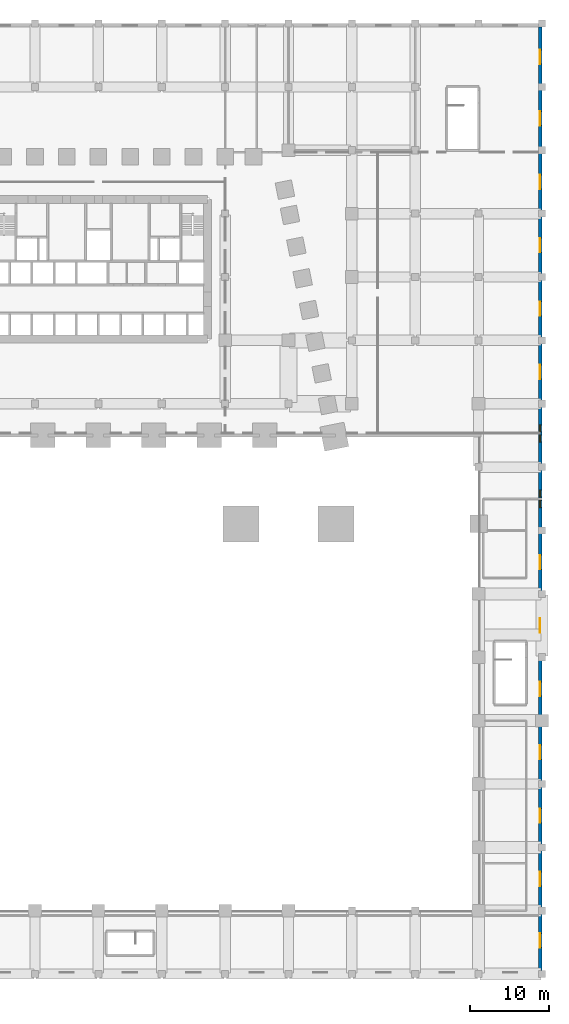
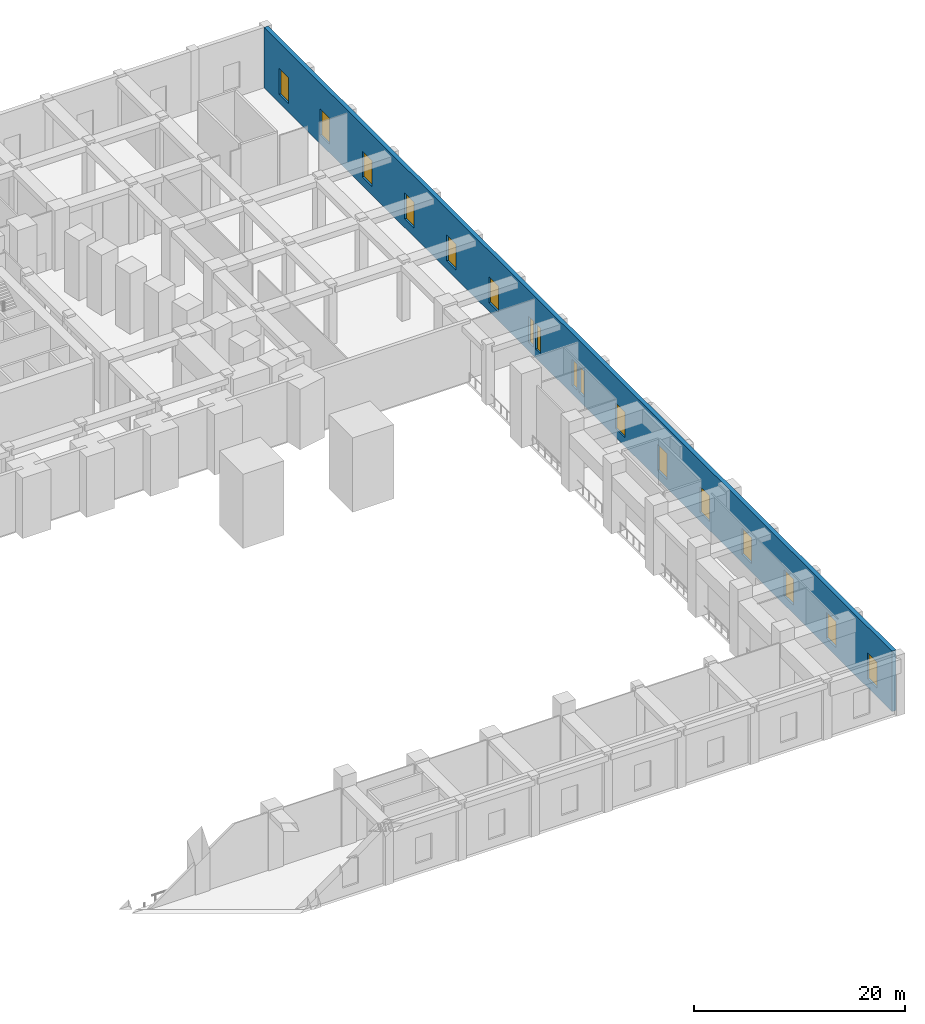
# One storey, part 8 of 18: 17 windows, 1 wall, 17 openings.
"""IFC4 building model written with IfcOpenShell, lengths in metres."""

from ifc_helpers import new_model, si_unit, direction, frame, frame_2d, origin, place, context, subcontext, project, spatial, rectangle, extrude, material, layer, layer_set, type_object, element, fill, save


model = new_model("IFC4")

# Units and contexts
model_context = context("Model", 3, precision=1e-05, world=origin(), true_north=direction((0.0, 1.0)))
body_context = subcontext(model_context, "Body", "Model", "MODEL_VIEW")
ifc_project = project(units=[si_unit("LENGTHUNIT", "METRE"), si_unit("AREAUNIT", "SQUARE_METRE"), si_unit("VOLUMEUNIT", "CUBIC_METRE"), si_unit("PLANEANGLEUNIT", "RADIAN"), si_unit("MASSUNIT", "GRAM", prefix="KILO")], contexts=[model_context])

# Site, building, storey
site_placement = place(None, origin())
site = spatial("IfcSite", under=ifc_project, at=site_placement, CompositionType="ELEMENT")
building_placement = place(site_placement, origin())
building = spatial("IfcBuilding", under=site, at=building_placement, Name="Isbrekke Arena Tower", CompositionType="ELEMENT")
storey_placement = place(building_placement, frame((0.0, 0.0, 12.0)))
storey = spatial("IfcBuildingStorey", under=building, at=storey_placement, Name="L02", CompositionType="ELEMENT", Elevation=12.0)

# Wall, openings, windows
ifc_material_1 = material(Name="Pale brick facing on concrete backing wall", Category="masonry")
ifc_layer = layer(ifc_material_1, 0.449951171875)
ifc_layer_set = layer_set([ifc_layer], Name="EW1 PODIUM BRICK WALL 450")
wall_type = type_object("IfcWallType", Name="EW1 PODIUM BRICK WALL 450", PredefinedType="SOLIDWALL", material=ifc_layer_set)
wall_placement = place(storey_placement, frame((55.77490234375, -73.550048828125, 0.0), z_axis=(0.0, 0.0, 1.0), x_axis=(0.0, 1.0, 0.0)))
wall = element("IfcWall", 1, at=wall_placement, inside=storey, type_object=wall_type, Name="EW1 podium wall E L02", PredefinedType="SOLIDWALL", context=body_context, shape_type="SweptSolid", body=[
    extrude(rectangle(XDim=119.10009765625, YDim=0.449951171875, at=frame_2d((59.550048828125, 0.0))), origin(), (0.0, 0.0, 1.0), 7.0),
])
opening_1_placement = place(wall_placement, frame((2.875, 0.0, 1.0)))
opening_1 = element("IfcOpeningElement", 2, at=opening_1_placement, cuts=wall, Name="Opening WN2", PredefinedType="OPENING", context=body_context, shape_type="SweptSolid", body=[
    extrude(rectangle(XDim=1.800048828125, YDim=3.0, at=frame_2d((0.89990234375, 1.5))), frame((0.0, 0.23974609375, 0.0), z_axis=(0.0, -1.0, 0.0), x_axis=(1.0, 0.0, 0.0)), (0.0, 0.0, 1.0), 0.479736328125),
])
opening_2_placement = place(wall_placement, frame((10.64990234375, 0.0, 1.0)))
opening_2 = element("IfcOpeningElement", 3, at=opening_2_placement, cuts=wall, Name="Opening WN2", PredefinedType="OPENING", context=body_context, shape_type="SweptSolid", body=[
    extrude(rectangle(XDim=1.800048828125, YDim=3.0, at=frame_2d((0.89990234375, 1.5))), frame((0.0, 0.23974609375, 0.0), z_axis=(0.0, -1.0, 0.0), x_axis=(1.0, 0.0, 0.0)), (0.0, 0.0, 1.0), 0.479736328125),
])
opening_3_placement = place(wall_placement, frame((18.64990234375, 0.0, 1.0)))
opening_3 = element("IfcOpeningElement", 4, at=opening_3_placement, cuts=wall, Name="Opening WN2", PredefinedType="OPENING", context=body_context, shape_type="SweptSolid", body=[
    extrude(rectangle(XDim=1.800048828125, YDim=3.0, at=frame_2d((0.89990234375, 1.5))), frame((0.0, 0.23974609375, 0.0), z_axis=(0.0, -1.0, 0.0), x_axis=(1.0, 0.0, 0.0)), (0.0, 0.0, 1.0), 0.479736328125),
])
opening_4_placement = place(wall_placement, frame((26.64990234375, 0.0, 1.0)))
opening_4 = element("IfcOpeningElement", 5, at=opening_4_placement, cuts=wall, Name="Opening WN2", PredefinedType="OPENING", context=body_context, shape_type="SweptSolid", body=[
    extrude(rectangle(XDim=1.800048828125, YDim=3.0, at=frame_2d((0.89990234375, 1.5))), frame((0.0, 0.23974609375, 0.0), z_axis=(0.0, -1.0, 0.0), x_axis=(1.0, 0.0, 0.0)), (0.0, 0.0, 1.0), 0.479736328125),
])
opening_5_placement = place(wall_placement, frame((34.64990234375, 0.0, 1.0)))
opening_5 = element("IfcOpeningElement", 6, at=opening_5_placement, cuts=wall, Name="Opening WN2", PredefinedType="OPENING", context=body_context, shape_type="SweptSolid", body=[
    extrude(rectangle(XDim=1.800048828125, YDim=3.0, at=frame_2d((0.89990234375, 1.5))), frame((0.0, 0.23974609375, 0.0), z_axis=(0.0, -1.0, 0.0), x_axis=(1.0, 0.0, 0.0)), (0.0, 0.0, 1.0), 0.479736328125),
])
opening_6_placement = place(wall_placement, frame((42.64990234375, 0.0, 1.0)))
opening_6 = element("IfcOpeningElement", 7, at=opening_6_placement, cuts=wall, Name="Opening WN2", PredefinedType="OPENING", context=body_context, shape_type="SweptSolid", body=[
    extrude(rectangle(XDim=1.800048828125, YDim=3.0, at=frame_2d((0.89990234375, 1.5))), frame((0.0, 0.23974609375, 0.0), z_axis=(0.0, -1.0, 0.0), x_axis=(1.0, 0.0, 0.0)), (0.0, 0.0, 1.0), 0.479736328125),
])
opening_7_placement = place(wall_placement, frame((50.64990234375, 0.0, 1.0)))
opening_7 = element("IfcOpeningElement", 8, at=opening_7_placement, cuts=wall, Name="Opening WN2", PredefinedType="OPENING", context=body_context, shape_type="SweptSolid", body=[
    extrude(rectangle(XDim=1.800048828125, YDim=3.0, at=frame_2d((0.89990234375, 1.5))), frame((0.0, 0.23974609375, 0.0), z_axis=(0.0, -1.0, 0.0), x_axis=(1.0, 0.0, 0.0)), (0.0, 0.0, 1.0), 0.479736328125),
])
opening_8_placement = place(wall_placement, frame((58.449951171875, 0.0, 1.0)))
opening_8 = element("IfcOpeningElement", 9, at=opening_8_placement, cuts=wall, Name="Opening WN4", PredefinedType="OPENING", context=body_context, shape_type="SweptSolid", body=[
    extrude(rectangle(XDim=0.89990234375, YDim=3.0, at=frame_2d((0.449951171875, 1.5))), frame((0.0, 0.23974609375, 0.0), z_axis=(0.0, -1.0, 0.0), x_axis=(1.0, 0.0, 0.0)), (0.0, 0.0, 1.0), 0.479736328125),
])
opening_9_placement = place(wall_placement, frame((59.75, 0.0, 1.0)))
opening_9 = element("IfcOpeningElement", 10, at=opening_9_placement, cuts=wall, Name="Opening WN4", PredefinedType="OPENING", context=body_context, shape_type="SweptSolid", body=[
    extrude(rectangle(XDim=0.89990234375, YDim=3.0, at=frame_2d((0.449951171875, 1.5))), frame((0.0, 0.23974609375, 0.0), z_axis=(0.0, -1.0, 0.0), x_axis=(1.0, 0.0, 0.0)), (0.0, 0.0, 1.0), 0.479736328125),
])
opening_10_placement = place(wall_placement, frame((66.699951171875, 0.0, 1.0)))
opening_10 = element("IfcOpeningElement", 11, at=opening_10_placement, cuts=wall, Name="Opening WN4", PredefinedType="OPENING", context=body_context, shape_type="SweptSolid", body=[
    extrude(rectangle(XDim=0.89990234375, YDim=3.0, at=frame_2d((0.449951171875, 1.5))), frame((0.0, 0.23974609375, 0.0), z_axis=(0.0, -1.0, 0.0), x_axis=(1.0, 0.0, 0.0)), (0.0, 0.0, 1.0), 0.479736328125),
])
opening_11_placement = place(wall_placement, frame((68.0, 0.0, 1.0)))
opening_11 = element("IfcOpeningElement", 12, at=opening_11_placement, cuts=wall, Name="Opening WN4", PredefinedType="OPENING", context=body_context, shape_type="SweptSolid", body=[
    extrude(rectangle(XDim=0.89990234375, YDim=3.0, at=frame_2d((0.449951171875, 1.5))), frame((0.0, 0.23974609375, 0.0), z_axis=(0.0, -1.0, 0.0), x_axis=(1.0, 0.0, 0.0)), (0.0, 0.0, 1.0), 0.479736328125),
])
opening_12_placement = place(wall_placement, frame((74.64990234375, 0.0, 1.0)))
opening_12 = element("IfcOpeningElement", 13, at=opening_12_placement, cuts=wall, Name="Opening WN2", PredefinedType="OPENING", context=body_context, shape_type="SweptSolid", body=[
    extrude(rectangle(XDim=1.800048828125, YDim=3.0, at=frame_2d((0.89990234375, 1.5))), frame((0.0, 0.23974609375, 0.0), z_axis=(0.0, -1.0, 0.0), x_axis=(1.0, 0.0, 0.0)), (0.0, 0.0, 1.0), 0.479736328125),
])
opening_13_placement = place(wall_placement, frame((82.64990234375, 0.0, 1.0)))
opening_13 = element("IfcOpeningElement", 14, at=opening_13_placement, cuts=wall, Name="Opening WN2", PredefinedType="OPENING", context=body_context, shape_type="SweptSolid", body=[
    extrude(rectangle(XDim=1.800048828125, YDim=3.0, at=frame_2d((0.89990234375, 1.5))), frame((0.0, 0.23974609375, 0.0), z_axis=(0.0, -1.0, 0.0), x_axis=(1.0, 0.0, 0.0)), (0.0, 0.0, 1.0), 0.479736328125),
])
opening_14_placement = place(wall_placement, frame((90.64990234375, 0.0, 1.0)))
opening_14 = element("IfcOpeningElement", 15, at=opening_14_placement, cuts=wall, Name="Opening WN2", PredefinedType="OPENING", context=body_context, shape_type="SweptSolid", body=[
    extrude(rectangle(XDim=1.800048828125, YDim=3.0, at=frame_2d((0.89990234375, 1.5))), frame((0.0, 0.23974609375, 0.0), z_axis=(0.0, -1.0, 0.0), x_axis=(1.0, 0.0, 0.0)), (0.0, 0.0, 1.0), 0.479736328125),
])
opening_15_placement = place(wall_placement, frame((98.64990234375, 0.0, 1.0)))
opening_15 = element("IfcOpeningElement", 16, at=opening_15_placement, cuts=wall, Name="Opening WN2", PredefinedType="OPENING", context=body_context, shape_type="SweptSolid", body=[
    extrude(rectangle(XDim=1.800048828125, YDim=3.0, at=frame_2d((0.89990234375, 1.5))), frame((0.0, 0.23974609375, 0.0), z_axis=(0.0, -1.0, 0.0), x_axis=(1.0, 0.0, 0.0)), (0.0, 0.0, 1.0), 0.479736328125),
])
opening_16_placement = place(wall_placement, frame((106.64990234375, 0.0, 1.0)))
opening_16 = element("IfcOpeningElement", 17, at=opening_16_placement, cuts=wall, Name="Opening WN2", PredefinedType="OPENING", context=body_context, shape_type="SweptSolid", body=[
    extrude(rectangle(XDim=1.800048828125, YDim=3.0, at=frame_2d((0.89990234375, 1.5))), frame((0.0, 0.23974609375, 0.0), z_axis=(0.0, -1.0, 0.0), x_axis=(1.0, 0.0, 0.0)), (0.0, 0.0, 1.0), 0.479736328125),
])
opening_17_placement = place(wall_placement, frame((114.425048828125, 0.0, 1.0)))
opening_17 = element("IfcOpeningElement", 18, at=opening_17_placement, cuts=wall, Name="Opening WN2", PredefinedType="OPENING", context=body_context, shape_type="SweptSolid", body=[
    extrude(rectangle(XDim=1.800048828125, YDim=3.0, at=frame_2d((0.89990234375, 1.5))), frame((0.0, 0.23974609375, 0.0), z_axis=(0.0, -1.0, 0.0), x_axis=(1.0, 0.0, 0.0)), (0.0, 0.0, 1.0), 0.479736328125),
])
ifc_material_2 = material(Name="Timber-aluminium window, triple glazed", Category="wood")
window_type_1 = type_object("IfcWindowType", Name="WN2 PODIUM WINDOW 1800 x 3000", PartitioningType="SINGLE_PANEL", PredefinedType="WINDOW", material=ifc_material_2)
window_1_placement = place(opening_1_placement, origin())
window_1 = element("IfcWindow", 19, at=window_1_placement, inside=storey, type_object=window_type_1, Name="WN2 podium window E-1", OverallHeight=3.0, OverallWidth=1.800048828125, PartitioningType="SINGLE_PANEL", PredefinedType="WINDOW", context=body_context, shape_type="SweptSolid", body=[
    extrude(rectangle(XDim=1.800048828125, YDim=3.0, at=frame_2d((0.89990234375, 1.5))), frame((0.0, 0.030029296875, 0.0), z_axis=(0.0, -1.0, 0.0), x_axis=(1.0, 0.0, 0.0)), (0.0, 0.0, 1.0), 0.06005859375),
])
fill(opening_1, window_1)
window_2_placement = place(opening_2_placement, origin())
window_2 = element("IfcWindow", 20, at=window_2_placement, inside=storey, type_object=window_type_1, Name="WN2 podium window E-2", OverallHeight=3.0, OverallWidth=1.800048828125, PartitioningType="SINGLE_PANEL", PredefinedType="WINDOW", context=body_context, shape_type="SweptSolid", body=[
    extrude(rectangle(XDim=1.800048828125, YDim=3.0, at=frame_2d((0.89990234375, 1.5))), frame((0.0, 0.030029296875, 0.0), z_axis=(0.0, -1.0, 0.0), x_axis=(1.0, 0.0, 0.0)), (0.0, 0.0, 1.0), 0.06005859375),
])
fill(opening_2, window_2)
window_3_placement = place(opening_3_placement, origin())
window_3 = element("IfcWindow", 21, at=window_3_placement, inside=storey, type_object=window_type_1, Name="WN2 podium window E-3", OverallHeight=3.0, OverallWidth=1.800048828125, PartitioningType="SINGLE_PANEL", PredefinedType="WINDOW", context=body_context, shape_type="SweptSolid", body=[
    extrude(rectangle(XDim=1.800048828125, YDim=3.0, at=frame_2d((0.89990234375, 1.5))), frame((0.0, 0.030029296875, 0.0), z_axis=(0.0, -1.0, 0.0), x_axis=(1.0, 0.0, 0.0)), (0.0, 0.0, 1.0), 0.06005859375),
])
fill(opening_3, window_3)
window_4_placement = place(opening_4_placement, origin())
window_4 = element("IfcWindow", 22, at=window_4_placement, inside=storey, type_object=window_type_1, Name="WN2 podium window E-4", OverallHeight=3.0, OverallWidth=1.800048828125, PartitioningType="SINGLE_PANEL", PredefinedType="WINDOW", context=body_context, shape_type="SweptSolid", body=[
    extrude(rectangle(XDim=1.800048828125, YDim=3.0, at=frame_2d((0.89990234375, 1.5))), frame((0.0, 0.030029296875, 0.0), z_axis=(0.0, -1.0, 0.0), x_axis=(1.0, 0.0, 0.0)), (0.0, 0.0, 1.0), 0.06005859375),
])
fill(opening_4, window_4)
window_5_placement = place(opening_5_placement, origin())
window_5 = element("IfcWindow", 23, at=window_5_placement, inside=storey, type_object=window_type_1, Name="WN2 podium window E-5", OverallHeight=3.0, OverallWidth=1.800048828125, PartitioningType="SINGLE_PANEL", PredefinedType="WINDOW", context=body_context, shape_type="SweptSolid", body=[
    extrude(rectangle(XDim=1.800048828125, YDim=3.0, at=frame_2d((0.89990234375, 1.5))), frame((0.0, 0.030029296875, 0.0), z_axis=(0.0, -1.0, 0.0), x_axis=(1.0, 0.0, 0.0)), (0.0, 0.0, 1.0), 0.06005859375),
])
fill(opening_5, window_5)
window_6_placement = place(opening_6_placement, origin())
window_6 = element("IfcWindow", 24, at=window_6_placement, inside=storey, type_object=window_type_1, Name="WN2 podium window E-6", OverallHeight=3.0, OverallWidth=1.800048828125, PartitioningType="SINGLE_PANEL", PredefinedType="WINDOW", context=body_context, shape_type="SweptSolid", body=[
    extrude(rectangle(XDim=1.800048828125, YDim=3.0, at=frame_2d((0.89990234375, 1.5))), frame((0.0, 0.030029296875, 0.0), z_axis=(0.0, -1.0, 0.0), x_axis=(1.0, 0.0, 0.0)), (0.0, 0.0, 1.0), 0.06005859375),
])
fill(opening_6, window_6)
window_7_placement = place(opening_7_placement, origin())
window_7 = element("IfcWindow", 25, at=window_7_placement, inside=storey, type_object=window_type_1, Name="WN2 podium window E-7", OverallHeight=3.0, OverallWidth=1.800048828125, PartitioningType="SINGLE_PANEL", PredefinedType="WINDOW", context=body_context, shape_type="SweptSolid", body=[
    extrude(rectangle(XDim=1.800048828125, YDim=3.0, at=frame_2d((0.89990234375, 1.5))), frame((0.0, 0.030029296875, 0.0), z_axis=(0.0, -1.0, 0.0), x_axis=(1.0, 0.0, 0.0)), (0.0, 0.0, 1.0), 0.06005859375),
])
fill(opening_7, window_7)
window_8_placement = place(opening_12_placement, origin())
window_8 = element("IfcWindow", 26, at=window_8_placement, inside=storey, type_object=window_type_1, Name="WN2 podium window E-10", OverallHeight=3.0, OverallWidth=1.800048828125, PartitioningType="SINGLE_PANEL", PredefinedType="WINDOW", context=body_context, shape_type="SweptSolid", body=[
    extrude(rectangle(XDim=1.800048828125, YDim=3.0, at=frame_2d((0.89990234375, 1.5))), frame((0.0, 0.030029296875, 0.0), z_axis=(0.0, -1.0, 0.0), x_axis=(1.0, 0.0, 0.0)), (0.0, 0.0, 1.0), 0.06005859375),
])
fill(opening_12, window_8)
window_9_placement = place(opening_13_placement, origin())
window_9 = element("IfcWindow", 27, at=window_9_placement, inside=storey, type_object=window_type_1, Name="WN2 podium window E-11", OverallHeight=3.0, OverallWidth=1.800048828125, PartitioningType="SINGLE_PANEL", PredefinedType="WINDOW", context=body_context, shape_type="SweptSolid", body=[
    extrude(rectangle(XDim=1.800048828125, YDim=3.0, at=frame_2d((0.89990234375, 1.5))), frame((0.0, 0.030029296875, 0.0), z_axis=(0.0, -1.0, 0.0), x_axis=(1.0, 0.0, 0.0)), (0.0, 0.0, 1.0), 0.06005859375),
])
fill(opening_13, window_9)
window_10_placement = place(opening_14_placement, origin())
window_10 = element("IfcWindow", 28, at=window_10_placement, inside=storey, type_object=window_type_1, Name="WN2 podium window E-12", OverallHeight=3.0, OverallWidth=1.800048828125, PartitioningType="SINGLE_PANEL", PredefinedType="WINDOW", context=body_context, shape_type="SweptSolid", body=[
    extrude(rectangle(XDim=1.800048828125, YDim=3.0, at=frame_2d((0.89990234375, 1.5))), frame((0.0, 0.030029296875, 0.0), z_axis=(0.0, -1.0, 0.0), x_axis=(1.0, 0.0, 0.0)), (0.0, 0.0, 1.0), 0.06005859375),
])
fill(opening_14, window_10)
window_11_placement = place(opening_15_placement, origin())
window_11 = element("IfcWindow", 29, at=window_11_placement, inside=storey, type_object=window_type_1, Name="WN2 podium window E-13", OverallHeight=3.0, OverallWidth=1.800048828125, PartitioningType="SINGLE_PANEL", PredefinedType="WINDOW", context=body_context, shape_type="SweptSolid", body=[
    extrude(rectangle(XDim=1.800048828125, YDim=3.0, at=frame_2d((0.89990234375, 1.5))), frame((0.0, 0.030029296875, 0.0), z_axis=(0.0, -1.0, 0.0), x_axis=(1.0, 0.0, 0.0)), (0.0, 0.0, 1.0), 0.06005859375),
])
fill(opening_15, window_11)
window_12_placement = place(opening_16_placement, origin())
window_12 = element("IfcWindow", 30, at=window_12_placement, inside=storey, type_object=window_type_1, Name="WN2 podium window E-14", OverallHeight=3.0, OverallWidth=1.800048828125, PartitioningType="SINGLE_PANEL", PredefinedType="WINDOW", context=body_context, shape_type="SweptSolid", body=[
    extrude(rectangle(XDim=1.800048828125, YDim=3.0, at=frame_2d((0.89990234375, 1.5))), frame((0.0, 0.030029296875, 0.0), z_axis=(0.0, -1.0, 0.0), x_axis=(1.0, 0.0, 0.0)), (0.0, 0.0, 1.0), 0.06005859375),
])
fill(opening_16, window_12)
window_13_placement = place(opening_17_placement, origin())
window_13 = element("IfcWindow", 31, at=window_13_placement, inside=storey, type_object=window_type_1, Name="WN2 podium window E-15", OverallHeight=3.0, OverallWidth=1.800048828125, PartitioningType="SINGLE_PANEL", PredefinedType="WINDOW", context=body_context, shape_type="SweptSolid", body=[
    extrude(rectangle(XDim=1.800048828125, YDim=3.0, at=frame_2d((0.89990234375, 1.5))), frame((0.0, 0.030029296875, 0.0), z_axis=(0.0, -1.0, 0.0), x_axis=(1.0, 0.0, 0.0)), (0.0, 0.0, 1.0), 0.06005859375),
])
fill(opening_17, window_13)
ifc_material_3 = material(Name="Timber-aluminium window, triple glazed", Category="wood")
window_type_2 = type_object("IfcWindowType", Name="WN4 PODIUM WINDOW 900 x 3000", PartitioningType="SINGLE_PANEL", PredefinedType="WINDOW", material=ifc_material_3)
window_14_placement = place(opening_8_placement, origin())
window_14 = element("IfcWindow", 32, at=window_14_placement, inside=storey, type_object=window_type_2, Name="WN4 podium window E-8a", OverallHeight=3.0, OverallWidth=0.89990234375, PartitioningType="SINGLE_PANEL", PredefinedType="WINDOW", context=body_context, shape_type="SweptSolid", body=[
    extrude(rectangle(XDim=0.89990234375, YDim=3.0, at=frame_2d((0.449951171875, 1.5))), frame((0.0, 0.030029296875, 0.0), z_axis=(0.0, -1.0, 0.0), x_axis=(1.0, 0.0, 0.0)), (0.0, 0.0, 1.0), 0.06005859375),
])
fill(opening_8, window_14)
window_15_placement = place(opening_9_placement, origin())
window_15 = element("IfcWindow", 33, at=window_15_placement, inside=storey, type_object=window_type_2, Name="WN4 podium window E-8b", OverallHeight=3.0, OverallWidth=0.89990234375, PartitioningType="SINGLE_PANEL", PredefinedType="WINDOW", context=body_context, shape_type="SweptSolid", body=[
    extrude(rectangle(XDim=0.89990234375, YDim=3.0, at=frame_2d((0.449951171875, 1.5))), frame((0.0, 0.030029296875, 0.0), z_axis=(0.0, -1.0, 0.0), x_axis=(1.0, 0.0, 0.0)), (0.0, 0.0, 1.0), 0.06005859375),
])
fill(opening_9, window_15)
window_16_placement = place(opening_10_placement, origin())
window_16 = element("IfcWindow", 34, at=window_16_placement, inside=storey, type_object=window_type_2, Name="WN4 podium window E-9a", OverallHeight=3.0, OverallWidth=0.89990234375, PartitioningType="SINGLE_PANEL", PredefinedType="WINDOW", context=body_context, shape_type="SweptSolid", body=[
    extrude(rectangle(XDim=0.89990234375, YDim=3.0, at=frame_2d((0.449951171875, 1.5))), frame((0.0, 0.030029296875, 0.0), z_axis=(0.0, -1.0, 0.0), x_axis=(1.0, 0.0, 0.0)), (0.0, 0.0, 1.0), 0.06005859375),
])
fill(opening_10, window_16)
window_17_placement = place(opening_11_placement, origin())
window_17 = element("IfcWindow", 35, at=window_17_placement, inside=storey, type_object=window_type_2, Name="WN4 podium window E-9b", OverallHeight=3.0, OverallWidth=0.89990234375, PartitioningType="SINGLE_PANEL", PredefinedType="WINDOW", context=body_context, shape_type="SweptSolid", body=[
    extrude(rectangle(XDim=0.89990234375, YDim=3.0, at=frame_2d((0.449951171875, 1.5))), frame((0.0, 0.030029296875, 0.0), z_axis=(0.0, -1.0, 0.0), x_axis=(1.0, 0.0, 0.0)), (0.0, 0.0, 1.0), 0.06005859375),
])
fill(opening_11, window_17)

save(model, "model.ifc")
